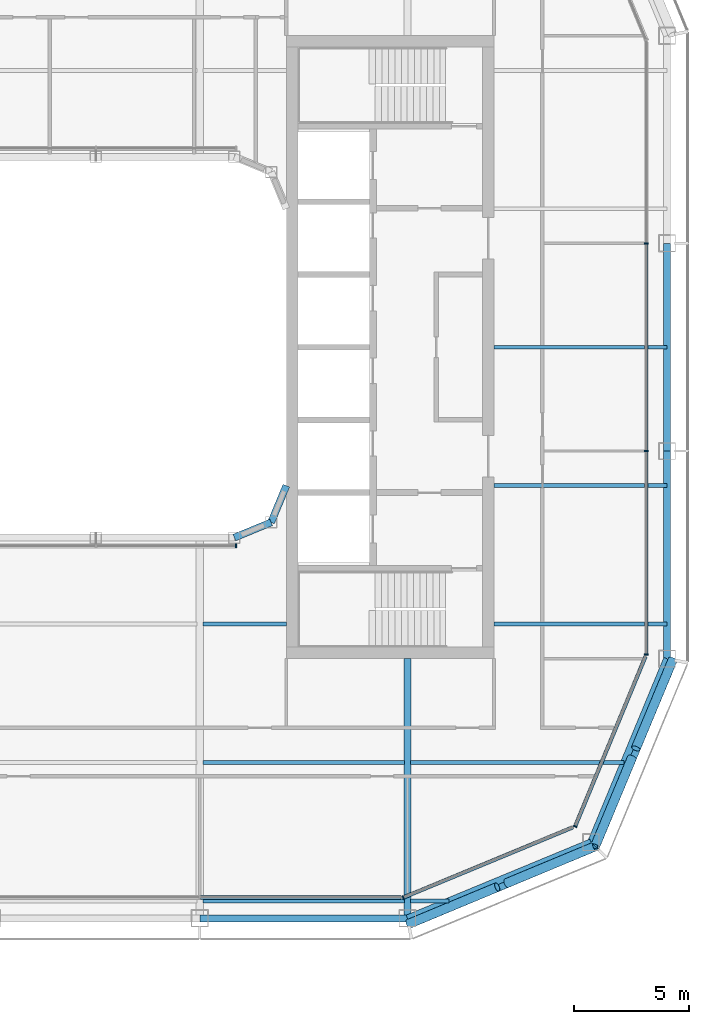
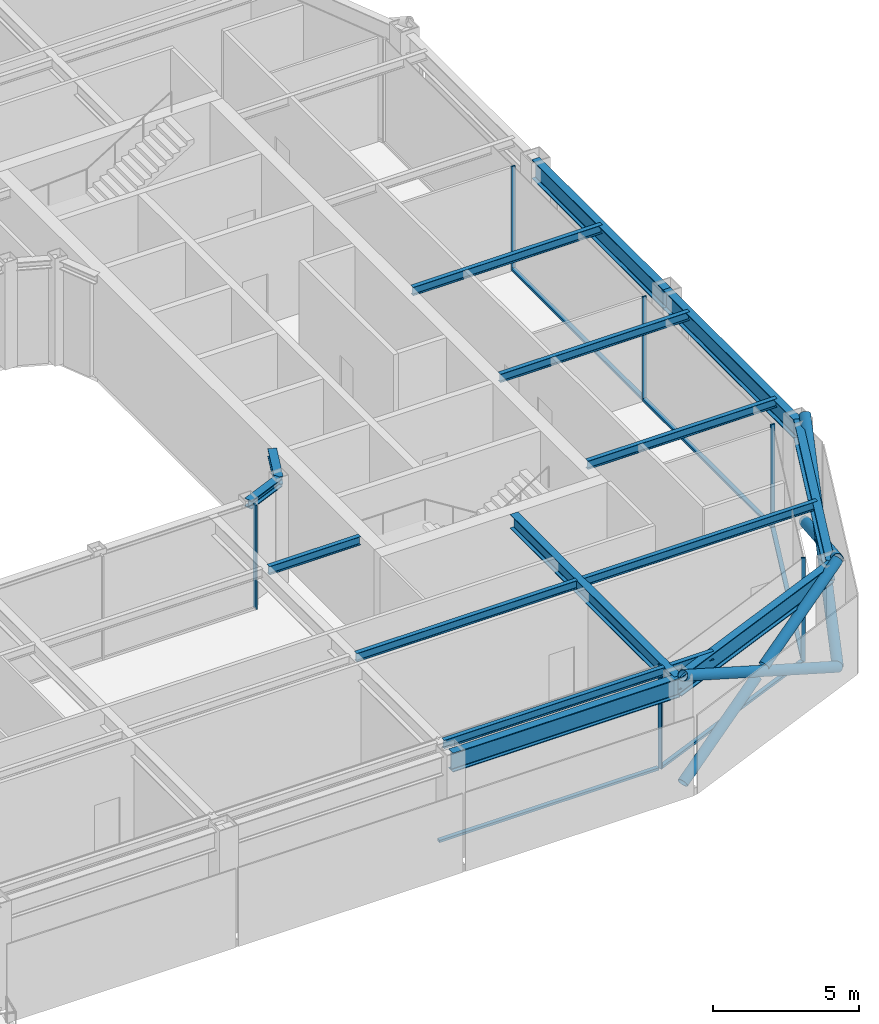
# One storey, part 5 of 20: 17 members, 16 beams, 5 elements without a shape of their own.
"""IFC4 building model written with IfcOpenShell, lengths in metres."""

from ifc_helpers import new_model, si_unit, direction, frame, origin, origin_2d, place, context, subcontext, project, spatial, rectangle, hollow_circle, i_section, extrude, material, layer, layer_set, material_profile, profile_set, type_object, element, aggregate, save


model = new_model("IFC4")

# Units and contexts
model_context = context("Model", 3, precision=1e-05, world=origin(), true_north=direction((0.0, 1.0)))
body_context = subcontext(model_context, "Body", "Model", "MODEL_VIEW")
ifc_project = project(units=[si_unit("LENGTHUNIT", "METRE"), si_unit("AREAUNIT", "SQUARE_METRE"), si_unit("VOLUMEUNIT", "CUBIC_METRE"), si_unit("PLANEANGLEUNIT", "RADIAN"), si_unit("MASSUNIT", "GRAM", prefix="KILO")], contexts=[model_context])

# Site, building, storey
site_placement = place(None, origin())
site = spatial("IfcSite", under=ifc_project, at=site_placement, CompositionType="ELEMENT")
building_placement = place(site_placement, origin())
building = spatial("IfcBuilding", under=site, at=building_placement, Name="Siwar Civic Tower", CompositionType="ELEMENT")
storey_placement = place(building_placement, frame((0.0, 0.0, 298.699951171875)))
storey = spatial("IfcBuildingStorey", under=building, at=storey_placement, Name="L64", CompositionType="ELEMENT", Elevation=298.699951171875)

# Curtain wall, member
ifc_material_1 = material(Name="Aluminium clad insulated panel", Category="aluminium")
ifc_layer_1 = layer(ifc_material_1, 0.159912109375)
ifc_layer_set_1 = layer_set([ifc_layer_1], Name="Aluminium clad insulated panel")
curtain_wall_type_1 = type_object("IfcCurtainWallType", Name="ENV-CW-DX", PredefinedType="NOTDEFINED", material=ifc_layer_set_1)
curtain_wall_1_placement = place(storey_placement, origin())
curtain_wall_1 = element("IfcCurtainWall", 1, at=curtain_wall_1_placement, inside=storey, type_object=curtain_wall_type_1, Name="Curtain wall D SE1", PredefinedType="NOTDEFINED")
ifc_material_2 = material(Name="Aluminium 6063-T6", Category="aluminium")
ifc_material_profile_1 = material_profile(ifc_material_2, rectangle(XDim=0.159912109375, YDim=0.06005859375, at=origin_2d()), Name="AL 160x60")
ifc_profile_set_1 = profile_set([ifc_material_profile_1], Name="Aluminium 6063-T6")
member_type_1 = type_object("IfcMemberType", Name="ENV-MULLION-D", PredefinedType="MULLION", material=ifc_profile_set_1)
member_1_placement = place(storey_placement, frame((13.321044921875, -23.85009765625, 0.0), z_axis=(0.0, 0.0, 1.0), x_axis=(-0.382683432365, 0.923879532511, 0.0)))
member_1 = element("IfcMember", 2, at=member_1_placement, type_object=member_type_1, Name="Mullion D SE1 1", PredefinedType="MULLION", context=body_context, shape_type="SweptSolid", body=[
    extrude(rectangle(XDim=0.159912109375, YDim=0.06005859375, at=origin_2d()), origin(), (0.0, 0.0, 1.0), 4.35009765625),
])

curtain_wall_2_placement = place(storey_placement, origin())
curtain_wall_2 = element("IfcCurtainWall", 3, at=curtain_wall_2_placement, inside=storey, type_object=curtain_wall_type_1, Name="Curtain wall D SE2", PredefinedType="NOTDEFINED")
member_2_placement = place(storey_placement, frame((20.76611328125, -20.76611328125, 0.0), z_axis=(0.0, 0.0, 1.0), x_axis=(-0.923879532511, 0.382683432365, 0.0)))
member_2 = element("IfcMember", 4, at=member_2_placement, type_object=member_type_1, Name="Mullion D SE2 1", PredefinedType="MULLION", context=body_context, shape_type="SweptSolid", body=[
    extrude(rectangle(XDim=0.159912109375, YDim=0.06005859375, at=origin_2d()), origin(), (0.0, 0.0, 1.0), 4.35009765625),
])

# Curtain wall, members
ifc_material_3 = material(Name="Aluminium and glass", Category="aluminium")
ifc_layer_2 = layer(ifc_material_3, 0.159912109375)
ifc_layer_set_2 = layer_set([ifc_layer_2], Name="Aluminium and glass")
curtain_wall_type_2 = type_object("IfcCurtainWallType", Name="ENV-CW-D", PredefinedType="NOTDEFINED", material=ifc_layer_set_2)
curtain_wall_3_placement = place(storey_placement, origin())
curtain_wall_3 = element("IfcCurtainWall", 5, at=curtain_wall_3_placement, inside=storey, type_object=curtain_wall_type_2, Name="Curtain wall D E", PredefinedType="NOTDEFINED")
member_3_placement = place(storey_placement, frame((23.85009765625, -13.321044921875, 0.0), z_axis=(0.0, 0.0, 1.0), x_axis=(-1.0, 0.0, 0.0)))
member_3 = element("IfcMember", 6, at=member_3_placement, type_object=member_type_1, Name="Mullion D E 1", PredefinedType="MULLION", context=body_context, shape_type="SweptSolid", body=[
    extrude(rectangle(XDim=0.159912109375, YDim=0.06005859375, at=origin_2d()), origin(), (0.0, 0.0, 1.0), 4.35009765625),
])
member_4_placement = place(storey_placement, frame((23.85009765625, -4.5, 0.0), z_axis=(0.0, 0.0, 1.0), x_axis=(-1.0, 0.0, 0.0)))
member_4 = element("IfcMember", 7, at=member_4_placement, type_object=member_type_1, Name="Mullion D E 2", PredefinedType="MULLION", context=body_context, shape_type="SweptSolid", body=[
    extrude(rectangle(XDim=0.159912109375, YDim=0.06005859375, at=origin_2d()), origin(), (0.0, 0.0, 1.0), 4.35009765625),
])
member_5_placement = place(storey_placement, frame((23.85009765625, 4.5, 0.0), z_axis=(0.0, 0.0, 1.0), x_axis=(-1.0, 0.0, 0.0)))
member_5 = element("IfcMember", 8, at=member_5_placement, type_object=member_type_1, Name="Mullion D E 3", PredefinedType="MULLION", context=body_context, shape_type="SweptSolid", body=[
    extrude(rectangle(XDim=0.159912109375, YDim=0.06005859375, at=origin_2d()), origin(), (0.0, 0.0, 1.0), 4.35009765625),
])

# Curtain wall, member
ifc_material_4 = material(Name="Aluminium and glass", Category="aluminium")
ifc_layer_3 = layer(ifc_material_4, 0.179931640625)
ifc_layer_set_3 = layer_set([ifc_layer_3], Name="Aluminium and glass")
curtain_wall_type_3 = type_object("IfcCurtainWallType", Name="ENV-CW-W", PredefinedType="NOTDEFINED", material=ifc_layer_set_3)
curtain_wall_4_placement = place(storey_placement, origin())
curtain_wall_4 = element("IfcCurtainWall", 9, at=curtain_wall_4_placement, inside=storey, type_object=curtain_wall_type_3, Name="Curtain wall W WS", PredefinedType="NOTDEFINED")
ifc_material_5 = material(Name="Aluminium 6063-T6", Category="aluminium")
ifc_material_profile_2 = material_profile(ifc_material_5, rectangle(XDim=0.179931640625, YDim=0.06005859375, at=origin_2d()), Name="AL 180x60")
ifc_profile_set_2 = profile_set([ifc_material_profile_2], Name="Aluminium 6063-T6")
member_type_2 = type_object("IfcMemberType", Name="ENV-MULLION-W", PredefinedType="MULLION", material=ifc_profile_set_2)
member_6_placement = place(storey_placement, frame((6.071533203125, -8.610107421875, 0.0), z_axis=(0.0, 0.0, 1.0), x_axis=(0.0, 1.0, 0.0)))
member_6 = element("IfcMember", 10, at=member_6_placement, type_object=member_type_2, Name="Mullion W WS 3", PredefinedType="MULLION", context=body_context, shape_type="SweptSolid", body=[
    extrude(rectangle(XDim=0.179931640625, YDim=0.06005859375, at=origin_2d()), origin(), (0.0, 0.0, 1.0), 4.35009765625),
])
aggregate(curtain_wall_4, [member_6])

curtain_wall_5_placement = place(storey_placement, origin())
curtain_wall_5 = element("IfcCurtainWall", 11, at=curtain_wall_5_placement, inside=storey, type_object=curtain_wall_type_2, Name="Curtain wall D S", PredefinedType="NOTDEFINED")
ifc_material_6 = material(Name="Aluminium 6063-T6", Category="aluminium")
ifc_material_profile_3 = material_profile(ifc_material_6, rectangle(XDim=0.159912109375, YDim=0.10009765625, at=origin_2d()), Name="AL 160x100")
ifc_profile_set_3 = profile_set([ifc_material_profile_3], Name="Aluminium 6063-T6")
member_type_3 = type_object("IfcMemberType", Name="ENV-TRANSOM-D", PredefinedType="USERDEFINED", material=ifc_profile_set_3)
member_7_placement = place(storey_placement, frame((4.530029296875, -23.85009765625, 0.050048828125), z_axis=(1.0, 0.0, 0.0), x_axis=(0.0, 1.0, 0.0)))
member_7 = element("IfcMember", 12, at=member_7_placement, type_object=member_type_3, Name="Transom D S 3", ObjectType="TRANSOM", PredefinedType="USERDEFINED", context=body_context, shape_type="SweptSolid", body=[
    extrude(rectangle(XDim=0.159912109375, YDim=0.10009765625, at=origin_2d()), origin(), (0.0, 0.0, 1.0), 8.693115234375),
])
aggregate(curtain_wall_5, [member_7])

# Member
member_8_placement = place(storey_placement, frame((13.3486328125, -23.838623046875, 0.050048828125), z_axis=(0.923872756612, 0.382699790424, 0.0), x_axis=(-0.382699790424, 0.923872756612, 0.0)))
member_8 = element("IfcMember", 13, at=member_8_placement, type_object=member_type_3, Name="Transom D SE1 1", ObjectType="TRANSOM", PredefinedType="USERDEFINED", context=body_context, shape_type="SweptSolid", body=[
    extrude(rectangle(XDim=0.159912109375, YDim=0.10009765625, at=origin_2d()), origin(), (0.0, 0.0, 1.0), 7.930908203125),
])

aggregate(curtain_wall_1, [member_1, member_8])

member_9_placement = place(storey_placement, frame((20.777587890625, -20.738525390625, 0.050048828125), z_axis=(0.382673515031, 0.923883640343, 0.0), x_axis=(-0.923883640343, 0.382673515031, 0.0)))
member_9 = element("IfcMember", 14, at=member_9_placement, type_object=member_type_3, Name="Transom D SE2 1", ObjectType="TRANSOM", PredefinedType="USERDEFINED", context=body_context, shape_type="SweptSolid", body=[
    extrude(rectangle(XDim=0.159912109375, YDim=0.10009765625, at=origin_2d()), origin(), (0.0, 0.0, 1.0), 7.930908203125),
])

aggregate(curtain_wall_2, [member_2, member_9])

member_10_placement = place(storey_placement, frame((23.85009765625, -13.291015625, 0.050048828125), z_axis=(0.0, 1.0, 0.0), x_axis=(-1.0, 0.0, 0.0)))
member_10 = element("IfcMember", 15, at=member_10_placement, type_object=member_type_3, Name="Transom D E 1", ObjectType="TRANSOM", PredefinedType="USERDEFINED", context=body_context, shape_type="SweptSolid", body=[
    extrude(rectangle(XDim=0.159912109375, YDim=0.10009765625, at=origin_2d()), origin(), (0.0, 0.0, 1.0), 8.760986328125),
])

member_11_placement = place(storey_placement, frame((23.85009765625, -4.469970703125, 0.050048828125), z_axis=(0.0, 1.0, 0.0), x_axis=(-1.0, 0.0, 0.0)))
member_11 = element("IfcMember", 16, at=member_11_placement, type_object=member_type_3, Name="Transom D E 2", ObjectType="TRANSOM", PredefinedType="USERDEFINED", context=body_context, shape_type="SweptSolid", body=[
    extrude(rectangle(XDim=0.159912109375, YDim=0.10009765625, at=origin_2d()), origin(), (0.0, 0.0, 1.0), 8.93994140625),
])

aggregate(curtain_wall_3, [member_3, member_4, member_5, member_10, member_11])

# Members
ifc_material_7 = material(Name="Steel S355", Category="steel")
ifc_material_profile_4 = material_profile(ifc_material_7, hollow_circle(Radius=0.203125, WallThickness=0.01611328125, at=origin_2d()), Name="CHS406.4x16")
ifc_profile_set_4 = profile_set([ifc_material_profile_4], Name="Steel S355")
member_type_4 = type_object("IfcMemberType", Name="STR-BR-CHS406.4x16", PredefinedType="BRACE", material=ifc_profile_set_4)
member_12_placement = place(storey_placement, frame((21.6318359375, -21.6318359375, 0.0), z_axis=(0.341671493852, 0.821142553604, 0.457149315816), x_axis=(-0.923264922524, 0.384163874976, 0.0)))
element("IfcMember", 17, at=member_12_placement, inside=storey, type_object=member_type_4, Name="L64/brc/DSE1-3-0-1", PredefinedType="BRACE", context=body_context, shape_type="SweptSolid", body=[
    extrude(hollow_circle(Radius=0.203125, WallThickness=0.01611328125, at=origin_2d()), origin(), (0.0, 0.0, 1.0), 9.843505859375),
])
for number, where, z_axis, x_axis, name in (
    (18, (24.9951171875, -13.548828125, 0.0), (-0.341659024948, -0.821130093572, 0.45718101459), (0.923267827529, -0.384156893273, 0.0), "L64/brc/DSE1-3-0-2"),
    (19, (23.229736328125, -17.791259765625, 2.362060546875), (-0.341652533125, -0.821166691915, 0.457120127208), (0.923276488787, -0.38413607648, 0.0), "L64/brc/DSE1-3-0-3"),
):
    element("IfcMember", number, at=place(storey_placement, frame(where, z_axis=z_axis, x_axis=x_axis)), inside=storey, type_object=member_type_4, Name=name, PredefinedType="BRACE", context=body_context, shape_type="SweptSolid", body=[
        extrude(hollow_circle(Radius=0.203125, WallThickness=0.01611328125, at=origin_2d()), origin(), (0.0, 0.0, 1.0), 4.677001953125),
    ])
member_13_placement = place(storey_placement, frame((21.6318359375, -21.6318359375, 0.0), z_axis=(-0.821142553604, -0.341671493852, 0.457149315816), x_axis=(0.384163874976, -0.923264922524, 0.0)))
element("IfcMember", 20, at=member_13_placement, inside=storey, type_object=member_type_4, Name="L64/brc/DSE1-3-0-0", PredefinedType="BRACE", context=body_context, shape_type="SweptSolid", body=[
    extrude(hollow_circle(Radius=0.203125, WallThickness=0.01611328125, at=origin_2d()), origin(), (0.0, 0.0, 1.0), 9.843505859375),
])
for number, where, z_axis, x_axis, name in (
    (21, (13.548828125, -24.9951171875, 0.0), (0.821130093572, 0.341659024948, 0.45718101459), (-0.384156893273, 0.923267827529, 0.0), "L64/brc/DSE1-3-0-4"),
    (22, (17.791259765625, -23.229736328125, 2.362060546875), (0.821166691915, 0.341652533125, 0.457120127208), (-0.38413607648, 0.923276488787, 0.0), "L64/brc/DSE1-3-0-5"),
):
    element("IfcMember", number, at=place(storey_placement, frame(where, z_axis=z_axis, x_axis=x_axis)), inside=storey, type_object=member_type_4, Name=name, PredefinedType="BRACE", context=body_context, shape_type="SweptSolid", body=[
        extrude(hollow_circle(Radius=0.203125, WallThickness=0.01611328125, at=origin_2d()), origin(), (0.0, 0.0, 1.0), 4.677001953125),
    ])

# Beams
ifc_material_8 = material(Name="Steel S355", Category="steel")
ifc_material_profile_5 = material_profile(ifc_material_8, i_section(OverallWidth=0.169921875, OverallDepth=0.360107421875, WebThickness=0.008056640625, FlangeThickness=0.0126953125, FilletRadius=0.01806640625, at=origin_2d()), Name="IPE360")
ifc_profile_set_5 = profile_set([ifc_material_profile_5], Name="Steel S355")
beam_type_1 = type_object("IfcBeamType", Name="STR-FB-IPE360", PredefinedType="JOIST", material=ifc_profile_set_5)
beam_1_placement = place(storey_placement, frame((4.6298828125, -24.0, 4.170166015625), z_axis=(1.0, 0.0, 0.0), x_axis=(0.0, 1.0, 0.0)))
element("IfcBeam", 23, at=beam_1_placement, inside=storey, type_object=beam_type_1, Name="L64/bm/F004", PredefinedType="JOIST", context=body_context, shape_type="SweptSolid", body=[
    extrude(i_section(OverallWidth=0.169921875, OverallDepth=0.360107421875, WebThickness=0.008056640625, FlangeThickness=0.0126953125, FilletRadius=0.01806640625, at=origin_2d()), origin(), (0.0, 0.0, 1.0), 8.740234375),
])
beam_2_placement = place(storey_placement, frame((13.6298828125, -24.0, 4.170166015625), z_axis=(1.0, 0.0, 0.0), x_axis=(0.0, 1.0, 0.0)))
element("IfcBeam", 24, at=beam_2_placement, inside=storey, type_object=beam_type_1, Name="L64/bm/F005", PredefinedType="JOIST", context=body_context, shape_type="SweptSolid", body=[
    extrude(i_section(OverallWidth=0.169921875, OverallDepth=0.360107421875, WebThickness=0.008056640625, FlangeThickness=0.0126953125, FilletRadius=0.01806640625, at=origin_2d()), origin(), (0.0, 0.0, 1.0), 1.6806640625),
])
beam_3_placement = place(storey_placement, frame((4.6298828125, -18.0, 4.170166015625), z_axis=(1.0, 0.0, 0.0), x_axis=(0.0, 1.0, 0.0)))
element("IfcBeam", 25, at=beam_3_placement, inside=storey, type_object=beam_type_1, Name="L64/bm/F009", PredefinedType="JOIST", context=body_context, shape_type="SweptSolid", body=[
    extrude(i_section(OverallWidth=0.169921875, OverallDepth=0.360107421875, WebThickness=0.008056640625, FlangeThickness=0.0126953125, FilletRadius=0.01806640625, at=origin_2d()), origin(), (0.0, 0.0, 1.0), 8.740234375),
])
beam_4_placement = place(storey_placement, frame((13.6298828125, -18.0, 4.170166015625), z_axis=(1.0, 0.0, 0.0), x_axis=(0.0, 1.0, 0.0)))
element("IfcBeam", 26, at=beam_4_placement, inside=storey, type_object=beam_type_1, Name="L64/bm/F010", PredefinedType="JOIST", context=body_context, shape_type="SweptSolid", body=[
    extrude(i_section(OverallWidth=0.169921875, OverallDepth=0.360107421875, WebThickness=0.008056640625, FlangeThickness=0.0126953125, FilletRadius=0.01806640625, at=origin_2d()), origin(), (0.0, 0.0, 1.0), 9.256103515625),
])
beam_5_placement = place(storey_placement, frame((4.6298828125, -12.0, 4.170166015625), z_axis=(1.0, 0.0, 0.0), x_axis=(0.0, 1.0, 0.0)))
element("IfcBeam", 27, at=beam_5_placement, inside=storey, type_object=beam_type_1, Name="L64/bm/F014", PredefinedType="JOIST", context=body_context, shape_type="SweptSolid", body=[
    extrude(i_section(OverallWidth=0.169921875, OverallDepth=0.360107421875, WebThickness=0.008056640625, FlangeThickness=0.0126953125, FilletRadius=0.01806640625, at=origin_2d()), origin(), (0.0, 0.0, 1.0), 3.6201171875),
])
for number, where, z_axis, x_axis, name in (
    (28, (17.25, -12.0, 4.170166015625), (1.0, 0.0, 0.0), (0.0, 1.0, 0.0), "L64/bm/F015"),
    (29, (17.25, -6.0, 4.170166015625), (1.0, 0.0, 0.0), (0.0, 1.0, 0.0), "L64/bm/F017"),
    (30, (17.25, 0.0, 4.170166015625), (1.0, 0.0, 0.0), (0.0, 1.0, 0.0), "L64/bm/F019"),
):
    element("IfcBeam", number, at=place(storey_placement, frame(where, z_axis=z_axis, x_axis=x_axis)), inside=storey, type_object=beam_type_1, Name=name, PredefinedType="JOIST", context=body_context, shape_type="SweptSolid", body=[
        extrude(i_section(OverallWidth=0.169921875, OverallDepth=0.360107421875, WebThickness=0.008056640625, FlangeThickness=0.0126953125, FilletRadius=0.01806640625, at=origin_2d()), origin(), (0.0, 0.0, 1.0), 7.5),
    ])
ifc_material_9 = material(Name="Steel S355", Category="steel")
ifc_material_profile_6 = material_profile(ifc_material_9, i_section(OverallWidth=0.300048828125, OverallDepth=0.60009765625, WebThickness=0.015380859375, FlangeThickness=0.030029296875, FilletRadius=0.027099609375, at=origin_2d()), Name="HEB600")
ifc_profile_set_6 = profile_set([ifc_material_profile_6], Name="Steel S355")
beam_type_2 = type_object("IfcBeamType", Name="STR-PG-HEB600", PredefinedType="BEAM", material=ifc_profile_set_6)
beam_6_placement = place(storey_placement, frame((13.5, -24.75, 4.050048828125), z_axis=(0.0, 1.0, 0.0), x_axis=(-1.0, 0.0, 0.0)))
element("IfcBeam", 31, at=beam_6_placement, inside=storey, type_object=beam_type_2, Name="L64/bm/G07", PredefinedType="BEAM", context=body_context, shape_type="SweptSolid", body=[
    extrude(i_section(OverallWidth=0.300048828125, OverallDepth=0.60009765625, WebThickness=0.015380859375, FlangeThickness=0.030029296875, FilletRadius=0.027099609375, at=origin_2d()), origin(), (0.0, 0.0, 1.0), 11.25),
])
ifc_material_10 = material(Name="Steel S355", Category="steel")
ifc_material_profile_7 = material_profile(ifc_material_10, i_section(OverallWidth=0.31005859375, OverallDepth=0.340087890625, WebThickness=0.02099609375, FlangeThickness=0.0390625, FilletRadius=0.027099609375, at=origin_2d()), Name="HEM300")
ifc_profile_set_7 = profile_set([ifc_material_profile_7], Name="Steel S355")
beam_type_3 = type_object("IfcBeamType", Name="STR-RB-HEM300", PredefinedType="BEAM", material=ifc_profile_set_7)
for number, where, z_axis, x_axis, name in (
    (32, (6.0, -8.25, 4.179931640625), (0.923901072997, 0.382631424892, 0.0), (-0.382631424892, 0.923901072997, 0.0), "L64/bm/RS3"),
    (33, (7.591064453125, -7.591064453125, 4.179931640625), (0.382631424892, 0.923901072997, 0.0), (-0.923901072997, 0.382631424892, 0.0), "L64/bm/RSEE"),
):
    element("IfcBeam", number, at=place(storey_placement, frame(where, z_axis=z_axis, x_axis=x_axis)), inside=storey, type_object=beam_type_3, Name=name, PredefinedType="BEAM", context=body_context, shape_type="SweptSolid", body=[
        extrude(i_section(OverallWidth=0.31005859375, OverallDepth=0.340087890625, WebThickness=0.02099609375, FlangeThickness=0.0390625, FilletRadius=0.027099609375, at=origin_2d()), origin(), (0.0, 0.0, 1.0), 1.72216796875),
    ])
ifc_material_11 = material(Name="Steel S355", Category="steel")
ifc_material_profile_8 = material_profile(ifc_material_11, i_section(OverallWidth=0.300048828125, OverallDepth=0.800048828125, WebThickness=0.017578125, FlangeThickness=0.032958984375, FilletRadius=0.030029296875, at=origin_2d()), Name="HEB800")
ifc_profile_set_8 = profile_set([ifc_material_profile_8], Name="Steel S355")
beam_type_4 = type_object("IfcBeamType", Name="STR-SB-HEB800", PredefinedType="BEAM", material=ifc_profile_set_8)
beam_7_placement = place(storey_placement, frame((4.5, -24.75, 3.949951171875), z_axis=(1.0, 0.0, 0.0), x_axis=(0.0, 1.0, 0.0)))
element("IfcBeam", 34, at=beam_7_placement, inside=storey, type_object=beam_type_4, Name="L64/bm/SS-2", PredefinedType="BEAM", context=body_context, shape_type="SweptSolid", body=[
    extrude(i_section(OverallWidth=0.300048828125, OverallDepth=0.800048828125, WebThickness=0.017578125, FlangeThickness=0.032958984375, FilletRadius=0.030029296875, at=origin_2d()), origin(), (0.0, 0.0, 1.0), 9.0),
])
for number, where, z_axis, x_axis, name in (
    (35, (13.5, -24.75, 3.949951171875), (0.923872720536, 0.382699877515, 0.0), (-0.382699877515, 0.923872720536, 0.0), "L64/bm/SSE1-0"),
    (36, (21.454833984375, -21.454833984375, 3.949951171875), (0.382699877515, 0.923872720536, 0.0), (-0.923872720536, 0.382699877515, 0.0), "L64/bm/SSE2-0"),
):
    element("IfcBeam", number, at=place(storey_placement, frame(where, z_axis=z_axis, x_axis=x_axis)), inside=storey, type_object=beam_type_4, Name=name, PredefinedType="BEAM", context=body_context, shape_type="SweptSolid", body=[
        extrude(i_section(OverallWidth=0.300048828125, OverallDepth=0.800048828125, WebThickness=0.017578125, FlangeThickness=0.032958984375, FilletRadius=0.030029296875, at=origin_2d()), origin(), (0.0, 0.0, 1.0), 8.6103515625),
    ])
for number, where, z_axis, x_axis, name in (
    (37, (24.75, -13.5, 3.949951171875), (0.0, 1.0, 0.0), (-1.0, 0.0, 0.0), "L64/bm/SE-0"),
    (38, (24.75, -4.5, 3.949951171875), (0.0, 1.0, 0.0), (-1.0, 0.0, 0.0), "L64/bm/SE-1"),
):
    element("IfcBeam", number, at=place(storey_placement, frame(where, z_axis=z_axis, x_axis=x_axis)), inside=storey, type_object=beam_type_4, Name=name, PredefinedType="BEAM", context=body_context, shape_type="SweptSolid", body=[
        extrude(i_section(OverallWidth=0.300048828125, OverallDepth=0.800048828125, WebThickness=0.017578125, FlangeThickness=0.032958984375, FilletRadius=0.030029296875, at=origin_2d()), origin(), (0.0, 0.0, 1.0), 9.0),
    ])

save(model, "model.ifc")
